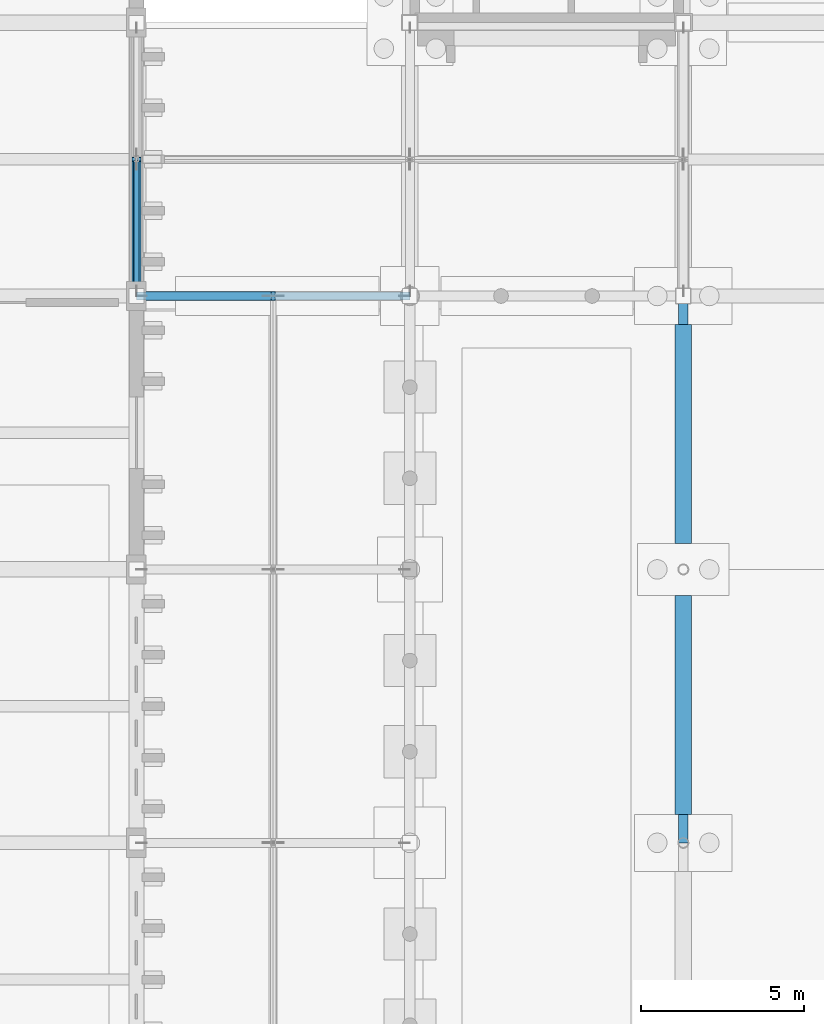
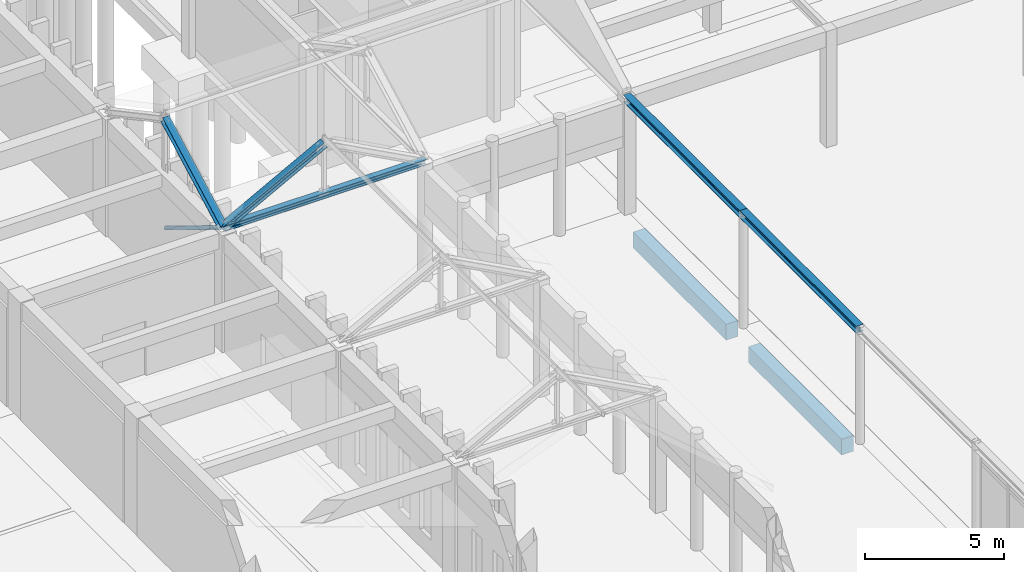
# One storey, part 50 of 143: 4 beams, 4 members.
"""IFC4 building model written with IfcOpenShell, lengths in metres."""

from ifc_helpers import new_model, si_unit, direction, frame, origin, origin_2d, place, context, subcontext, project, spatial, rectangle, hollow_circle, i_section, extrude, material, material_profile, profile_set, type_object, element, save


model = new_model("IFC4")

# Units and contexts
model_context = context("Model", 3, precision=1e-05, world=origin(), true_north=direction((0.0, 1.0)))
body_context = subcontext(model_context, "Body", "Model", "MODEL_VIEW")
ifc_project = project(units=[si_unit("LENGTHUNIT", "METRE"), si_unit("AREAUNIT", "SQUARE_METRE"), si_unit("VOLUMEUNIT", "CUBIC_METRE"), si_unit("PLANEANGLEUNIT", "RADIAN"), si_unit("MASSUNIT", "GRAM", prefix="KILO")], contexts=[model_context])

# Site, building, storey
site_placement = place(None, origin())
site = spatial("IfcSite", under=ifc_project, at=site_placement, CompositionType="ELEMENT")
building_placement = place(site_placement, origin())
building = spatial("IfcBuilding", under=site, at=building_placement, Name="Kveldsbrygga Polytechnic", CompositionType="ELEMENT")
storey_placement = place(building_placement, origin())
storey = spatial("IfcBuildingStorey", under=building, at=storey_placement, Name="L00", CompositionType="ELEMENT", Elevation=0.0)

# Beams
ifc_material_1 = material(Name="Steel S355", Category="steel")
ifc_material_profile_1 = material_profile(ifc_material_1, i_section(OverallWidth=0.300048828125, OverallDepth=0.31005859375, WebThickness=0.009033203125, FlangeThickness=0.015380859375, FilletRadius=0.027099609375, at=origin_2d()), Name="HEA 320")
ifc_profile_set_1 = profile_set([ifc_material_profile_1], Name="Steel S355")
beam_type_1 = type_object("IfcBeamType", Name="BM-STL-HEA320", PredefinedType="BEAM", material=ifc_profile_set_1)
beam_1_placement = place(storey_placement, frame((50.39990234375, 58.800048828125, 4.985107421875), z_axis=(0.0, 1.0, 0.0), x_axis=(-1.0, 0.0, 0.0)))
element("IfcBeam", 1, at=beam_1_placement, inside=storey, type_object=beam_type_1, Name="Primary Beam BMY-L00-06-07to08", PredefinedType="BEAM", context=body_context, shape_type="SweptSolid", body=[
    extrude(i_section(OverallWidth=0.300048828125, OverallDepth=0.31005859375, WebThickness=0.009033203125, FlangeThickness=0.015380859375, FilletRadius=0.027099609375, at=origin_2d()), origin(), (0.0, 0.0, 1.0), 8.39990234375),
])
beam_2_placement = place(storey_placement, frame((50.39990234375, 67.199951171875, 4.985107421875), z_axis=(0.0, 1.0, 0.0), x_axis=(-1.0, 0.0, 0.0)))
element("IfcBeam", 2, at=beam_2_placement, inside=storey, type_object=beam_type_1, Name="Primary Beam BMY-L00-06-08to09", PredefinedType="BEAM", context=body_context, shape_type="SweptSolid", body=[
    extrude(i_section(OverallWidth=0.300048828125, OverallDepth=0.31005859375, WebThickness=0.009033203125, FlangeThickness=0.015380859375, FilletRadius=0.027099609375, at=origin_2d()), origin(), (0.0, 0.0, 1.0), 8.400146484375),
])
ifc_material_2 = material(Name="Concrete C35/45", Category="concrete")
ifc_material_profile_2 = material_profile(ifc_material_2, rectangle(XDim=0.5, YDim=0.699951171875, at=origin_2d()), Name="RC 500x700")
ifc_profile_set_2 = profile_set([ifc_material_profile_2], Name="Concrete C35/45")
beam_type_2 = type_object("IfcBeamType", Name="BM-TIE-500x700", PredefinedType="BEAM", material=ifc_profile_set_2)
for number, where, z_axis, x_axis, name in (
    (3, (50.39990234375, 59.677001953125, -0.669921875), (0.0, 1.0, 0.0), (-1.0, 0.0, 0.0), "Ground Tie Beam GB-L00-Y-06-07"),
    (4, (50.39990234375, 68.001953125, -0.669921875), (0.0, 1.0, 0.0), (-1.0, 0.0, 0.0), "Ground Tie Beam GB-L00-Y-06-08"),
):
    element("IfcBeam", number, at=place(storey_placement, frame(where, z_axis=z_axis, x_axis=x_axis)), inside=storey, type_object=beam_type_2, Name=name, PredefinedType="BEAM", context=body_context, shape_type="SweptSolid", body=[
        extrude(rectangle(XDim=0.5, YDim=0.699951171875, at=origin_2d()), origin(), (0.0, 0.0, 1.0), 6.720947265625),
    ])

# Members
ifc_material_profile_3 = material_profile(ifc_material_1, hollow_circle(Radius=0.084228515625, WallThickness=0.010009765625, at=origin_2d()), Name="CHS 168.3x10.0")
ifc_profile_set_3 = profile_set([ifc_material_profile_3], Name="Steel S355")
member_type_1 = type_object("IfcMemberType", Name="BR-WIND-CHS168", PredefinedType="BRACE", material=ifc_profile_set_3)
member_1_placement = place(storey_placement, frame((33.60009765625, 79.72314453125, 2.616943359375), z_axis=(0.0, -0.852977051756, 0.521948416204), x_axis=(1.0, 0.0, 0.0)))
element("IfcMember", 5, at=member_1_placement, inside=storey, type_object=member_type_1, Name="Workshop Portal Split Brace VBR-L00-E-9-B2", PredefinedType="BRACE", context=body_context, shape_type="SweptSolid", body=[
    extrude(hollow_circle(Radius=0.084228515625, WallThickness=0.010009765625, at=origin_2d()), origin(), (0.0, 0.0, 1.0), 4.833740234375),
])
ifc_material_profile_4 = material_profile(ifc_material_1, i_section(OverallWidth=0.239990234375, OverallDepth=0.239990234375, WebThickness=0.010009765625, FlangeThickness=0.01708984375, FilletRadius=0.02099609375, at=origin_2d()), Name="HEB 240")
ifc_profile_set_4 = profile_set([ifc_material_profile_4], Name="Steel S355")
member_type_2 = type_object("IfcMemberType", Name="TR-BOT-HEB240", PredefinedType="CHORD", material=ifc_profile_set_4)
member_2_placement = place(storey_placement, frame((33.60009765625, 75.60009765625, 5.139892578125), z_axis=(1.0, 0.0, 0.0), x_axis=(0.0, 1.0, 0.0)))
element("IfcMember", 6, at=member_2_placement, inside=storey, type_object=member_type_2, Name="Truss Bottom Chord ARC-WW-T06-BC-1", PredefinedType="CHORD", context=body_context, shape_type="SweptSolid", body=[
    extrude(i_section(OverallWidth=0.239990234375, OverallDepth=0.239990234375, WebThickness=0.010009765625, FlangeThickness=0.01708984375, FilletRadius=0.02099609375, at=origin_2d()), origin(), (0.0, 0.0, 1.0), 8.39990234375),
])
ifc_material_profile_5 = material_profile(ifc_material_1, i_section(OverallWidth=0.280029296875, OverallDepth=0.280029296875, WebThickness=0.010498046875, FlangeThickness=0.01806640625, FilletRadius=0.02392578125, at=origin_2d()), Name="HEB 280")
ifc_profile_set_5 = profile_set([ifc_material_profile_5], Name="Steel S355")
member_type_3 = type_object("IfcMemberType", Name="TR-TOP-HEB280", PredefinedType="CHORD", material=ifc_profile_set_5)
for number, where, z_axis, x_axis, name in (
    (7, (33.60009765625, 75.60009765625, 5.139892578125), (0.0, 0.881477684796, 0.472225678258), (-1.0, 0.0, 0.0), "Truss Top Chord ARC-WN-T01-TC-1"),
    (8, (33.60009765625, 75.60009765625, 5.139892578125), (0.881477684796, 0.0, 0.472225678258), (0.0, 1.0, 0.0), "Truss Top Chord ARC-WW-T06-TC-1"),
):
    element("IfcMember", number, at=place(storey_placement, frame(where, z_axis=z_axis, x_axis=x_axis)), inside=storey, type_object=member_type_3, Name=name, PredefinedType="CHORD", context=body_context, shape_type="SweptSolid", body=[
        extrude(i_section(OverallWidth=0.280029296875, OverallDepth=0.280029296875, WebThickness=0.010498046875, FlangeThickness=0.01806640625, FilletRadius=0.02392578125, at=origin_2d()), origin(), (0.0, 0.0, 1.0), 4.7646484375),
    ])

save(model, "model.ifc")
